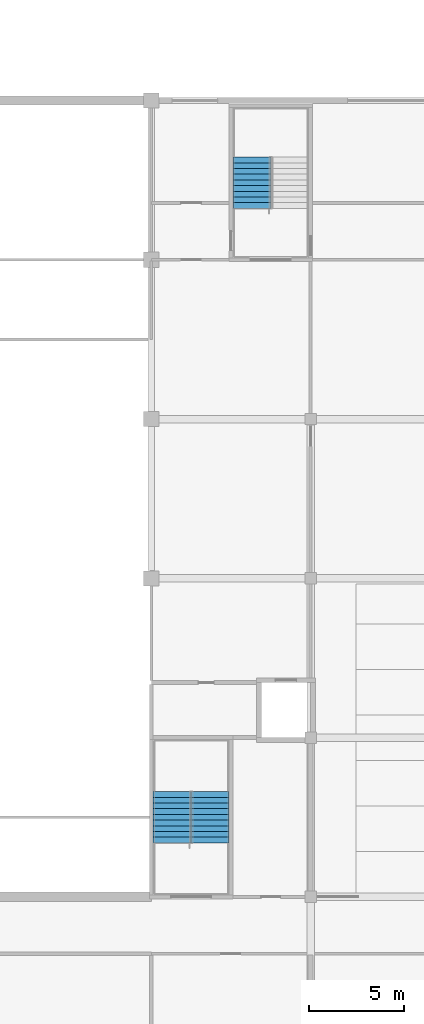
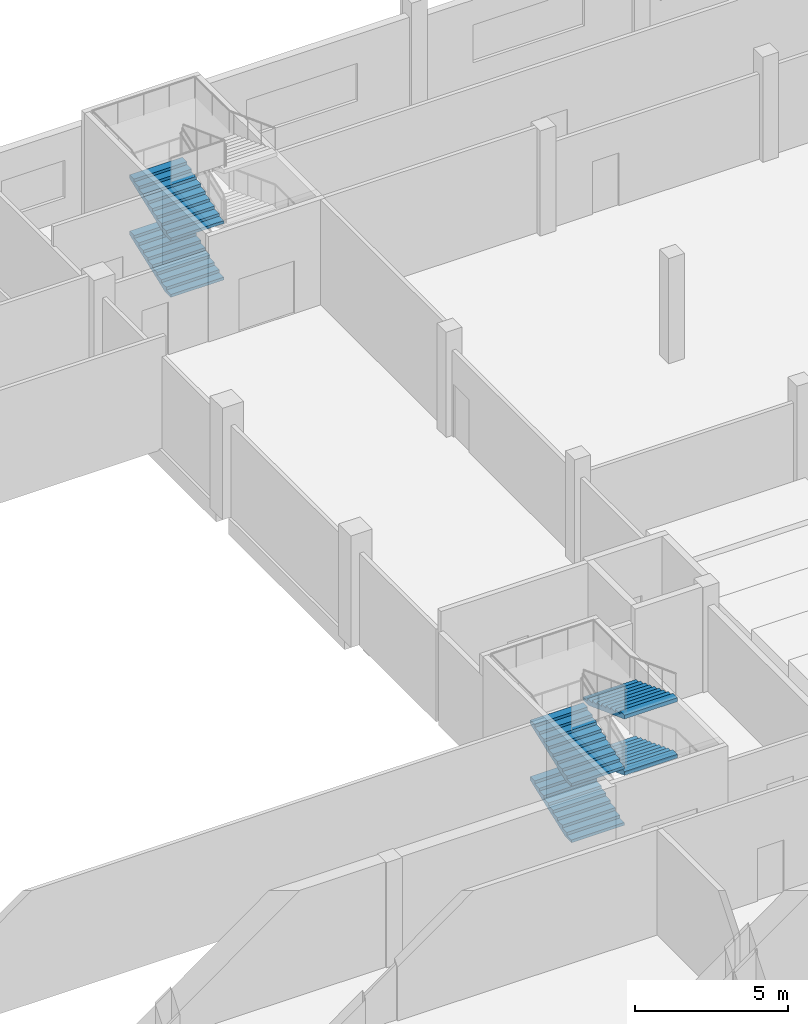
# One storey, part 38 of 56: 6 stair flights, 2 elements without a shape of their own.
"""IFC4 building model written with IfcOpenShell, lengths in metres."""

from ifc_helpers import new_model, si_unit, direction, frame, origin, place, context, subcontext, project, spatial, faceted_brep, material, type_object, element, aggregate, save


model = new_model("IFC4")

# Units and contexts
model_context = context("Model", 3, precision=1e-05, world=origin(), true_north=direction((0.0, 1.0)))
body_context = subcontext(model_context, "Body", "Model", "MODEL_VIEW")
ifc_project = project(units=[si_unit("LENGTHUNIT", "METRE"), si_unit("AREAUNIT", "SQUARE_METRE"), si_unit("VOLUMEUNIT", "CUBIC_METRE"), si_unit("PLANEANGLEUNIT", "RADIAN"), si_unit("MASSUNIT", "GRAM", prefix="KILO")], contexts=[model_context])

# Site, building, storey
site_placement = place(None, origin())
site = spatial("IfcSite", under=ifc_project, at=site_placement, CompositionType="ELEMENT")
building_placement = place(site_placement, origin())
building = spatial("IfcBuilding", under=site, at=building_placement, Name="Rulbaag Community and Learning Centre", CompositionType="ELEMENT")
storey_placement = place(building_placement, frame((0.0, 0.0, 9.89990234375)))
storey = spatial("IfcBuildingStorey", under=building, at=storey_placement, Name="L02", CompositionType="ELEMENT", Elevation=9.89990234375)

# Stair, stair flights
ifc_material = material(Name="Concrete M40", Category="concrete")
stair_type = type_object("IfcStairType", Name="ST-2000 STAIR 2000 WIDE", PredefinedType="HALF_TURN_STAIR", material=ifc_material)
stair_1_placement = place(storey_placement, origin())
stair_1 = element("IfcStair", 1, at=stair_1_placement, inside=storey, type_object=stair_type, Name="Stair ST-H2 L02", PredefinedType="HALF_TURN_STAIR")
stair_flight_type = type_object("IfcStairFlightType", Name="FL-2000 FLIGHT 2000 WIDE Concrete M40", PredefinedType="STRAIGHT", material=ifc_material)
stair_flight_1_placement = place(storey_placement, frame((85.10009765625, 11.25, 0.0), z_axis=(0.0, 0.0, 1.0), x_axis=(0.0, 1.0, 0.0)))
stair_flight_1 = element("IfcStairFlight", 2, at=stair_flight_1_placement, type_object=stair_flight_type, Name="ST-H2 flight 1", NumberOfRisers=10, NumberOfTreads=9, PredefinedType="STRAIGHT", RiserHeight=0.1125, TreadLength=0.3, context=body_context, shape_type="Brep", body=[
    faceted_brep([(0.3984375, -1.0, 0.0), (2.699951171875, -1.0, 0.863037109375), (2.699951171875, -1.0, 1.012451171875), (2.39990234375, -1.0, 1.012451171875), (2.39990234375, -1.0, 0.89990234375), (2.10009765625, -1.0, 0.89990234375), (2.10009765625, -1.0, 0.78759765625), (1.800048828125, -1.0, 0.78759765625), (1.800048828125, -1.0, 0.675048828125), (1.5, -1.0, 0.675048828125), (1.5, -1.0, 0.5625), (1.199951171875, -1.0, 0.5625), (1.199951171875, -1.0, 0.449951171875), (0.89990234375, -1.0, 0.449951171875), (0.89990234375, -1.0, 0.33740234375), (0.60009765625, -1.0, 0.33740234375), (0.60009765625, -1.0, 0.22509765625), (0.300048828125, -1.0, 0.22509765625), (0.300048828125, -1.0, 0.112548828125), (0.0, -1.0, 0.112548828125), (0.0, -1.0, 0.0), (0.0, 1.0, 0.0), (0.0, 1.0, 0.112548828125), (0.300048828125, 1.0, 0.112548828125), (0.300048828125, 1.0, 0.22509765625), (0.60009765625, 1.0, 0.22509765625), (0.60009765625, 1.0, 0.33740234375), (0.89990234375, 1.0, 0.33740234375), (0.89990234375, 1.0, 0.449951171875), (1.199951171875, 1.0, 0.449951171875), (1.199951171875, 1.0, 0.5625), (1.5, 1.0, 0.5625), (1.5, 1.0, 0.675048828125), (1.800048828125, 1.0, 0.675048828125), (1.800048828125, 1.0, 0.78759765625), (2.10009765625, 1.0, 0.78759765625), (2.10009765625, 1.0, 0.89990234375), (2.39990234375, 1.0, 0.89990234375), (2.39990234375, 1.0, 1.012451171875), (2.699951171875, 1.0, 1.012451171875), (2.699951171875, 1.0, 0.863037109375), (0.3984375, 1.0, 0.0), (0.0, -0.333251953125, 0.112548828125), (0.0, -0.333251953125, 0.0), (0.0, 0.333251953125, 0.112548828125), (0.0, 0.333251953125, 0.0), (0.300048828125, -0.333251953125, 0.112548828125), (0.300048828125, 0.333251953125, 0.112548828125), (0.300048828125, -0.333251953125, 0.22509765625), (0.300048828125, 0.333251953125, 0.22509765625), (0.60009765625, -0.333251953125, 0.22509765625), (0.60009765625, 0.333251953125, 0.22509765625), (0.60009765625, -0.333251953125, 0.33740234375), (0.60009765625, 0.333251953125, 0.33740234375), (0.89990234375, -0.333251953125, 0.33740234375), (0.89990234375, 0.333251953125, 0.33740234375), (0.89990234375, -0.333251953125, 0.449951171875), (0.89990234375, 0.333251953125, 0.449951171875), (1.199951171875, -0.333251953125, 0.449951171875), (1.199951171875, 0.333251953125, 0.449951171875), (1.199951171875, -0.333251953125, 0.5625), (1.199951171875, 0.333251953125, 0.5625), (1.5, -0.333251953125, 0.5625), (1.5, 0.333251953125, 0.5625), (1.5, -0.333251953125, 0.675048828125), (1.5, 0.333251953125, 0.675048828125), (1.800048828125, -0.333251953125, 0.675048828125), (1.800048828125, 0.333251953125, 0.675048828125), (1.800048828125, -0.333251953125, 0.78759765625), (1.800048828125, 0.333251953125, 0.78759765625), (2.10009765625, -0.333251953125, 0.78759765625), (2.10009765625, 0.333251953125, 0.78759765625), (2.10009765625, -0.333251953125, 0.89990234375), (2.10009765625, 0.333251953125, 0.89990234375), (2.39990234375, -0.333251953125, 0.89990234375), (2.39990234375, 0.333251953125, 0.89990234375), (2.39990234375, -0.333251953125, 1.012451171875), (2.39990234375, 0.333251953125, 1.012451171875), (2.699951171875, -0.333251953125, 1.012451171875), (2.699951171875, 0.333251953125, 1.012451171875), (2.699951171875, -0.333251953125, 0.863037109375), (2.699951171875, 0.333251953125, 0.863037109375), (0.3984375, -0.333251953125, 0.0), (0.3984375, 0.333251953125, 0.0)], [[[0, 1, 2, 3, 4, 5, 6, 7, 8, 9, 10, 11, 12, 13, 14, 15, 16, 17, 18, 19, 20]], [[21, 22, 23, 24, 25, 26, 27, 28, 29, 30, 31, 32, 33, 34, 35, 36, 37, 38, 39, 40, 41]], [[20, 19, 42, 43]], [[43, 42, 44, 45]], [[45, 44, 22, 21]], [[19, 18, 46, 42]], [[42, 46, 47, 44]], [[44, 47, 23, 22]], [[18, 17, 48, 46]], [[46, 48, 49, 47]], [[47, 49, 24, 23]], [[17, 16, 50, 48]], [[48, 50, 51, 49]], [[49, 51, 25, 24]], [[16, 15, 52, 50]], [[50, 52, 53, 51]], [[51, 53, 26, 25]], [[15, 14, 54, 52]], [[52, 54, 55, 53]], [[53, 55, 27, 26]], [[14, 13, 56, 54]], [[54, 56, 57, 55]], [[55, 57, 28, 27]], [[13, 12, 58, 56]], [[56, 58, 59, 57]], [[57, 59, 29, 28]], [[12, 11, 60, 58]], [[58, 60, 61, 59]], [[59, 61, 30, 29]], [[11, 10, 62, 60]], [[60, 62, 63, 61]], [[61, 63, 31, 30]], [[10, 9, 64, 62]], [[62, 64, 65, 63]], [[63, 65, 32, 31]], [[9, 8, 66, 64]], [[64, 66, 67, 65]], [[65, 67, 33, 32]], [[8, 7, 68, 66]], [[66, 68, 69, 67]], [[67, 69, 34, 33]], [[7, 6, 70, 68]], [[68, 70, 71, 69]], [[69, 71, 35, 34]], [[6, 5, 72, 70]], [[70, 72, 73, 71]], [[71, 73, 36, 35]], [[5, 4, 74, 72]], [[72, 74, 75, 73]], [[73, 75, 37, 36]], [[4, 3, 76, 74]], [[74, 76, 77, 75]], [[75, 77, 38, 37]], [[3, 2, 78, 76]], [[76, 78, 79, 77]], [[77, 79, 39, 38]], [[2, 1, 80, 78]], [[78, 80, 81, 79]], [[79, 81, 40, 39]], [[1, 0, 82, 80]], [[80, 82, 83, 81]], [[81, 83, 41, 40]], [[0, 20, 43, 82]], [[82, 43, 45, 83]], [[83, 45, 21, 41]]]),
])
stair_flight_2_placement = place(storey_placement, frame((87.10009765625, 13.949951171875, 1.125), z_axis=(0.0, 0.0, 1.0), x_axis=(0.0, -1.0, 0.0)))
stair_flight_2 = element("IfcStairFlight", 3, at=stair_flight_2_placement, type_object=stair_flight_type, Name="ST-H2 flight 2", NumberOfRisers=10, NumberOfTreads=9, PredefinedType="STRAIGHT", RiserHeight=0.1125, TreadLength=0.3, context=body_context, shape_type="Brep", body=[
    faceted_brep([(0.3984375, -1.0, 0.0), (2.699951171875, -1.0, 0.863037109375), (2.699951171875, -1.0, 1.012451171875), (2.39990234375, -1.0, 1.012451171875), (2.39990234375, -1.0, 0.89990234375), (2.10009765625, -1.0, 0.89990234375), (2.10009765625, -1.0, 0.78759765625), (1.800048828125, -1.0, 0.78759765625), (1.800048828125, -1.0, 0.675048828125), (1.5, -1.0, 0.675048828125), (1.5, -1.0, 0.5625), (1.199951171875, -1.0, 0.5625), (1.199951171875, -1.0, 0.449951171875), (0.89990234375, -1.0, 0.449951171875), (0.89990234375, -1.0, 0.33740234375), (0.60009765625, -1.0, 0.33740234375), (0.60009765625, -1.0, 0.22509765625), (0.300048828125, -1.0, 0.22509765625), (0.300048828125, -1.0, 0.112548828125), (0.0, -1.0, 0.112548828125), (0.0, -1.0, 0.0), (0.0, 1.0, 0.0), (0.0, 1.0, 0.112548828125), (0.300048828125, 1.0, 0.112548828125), (0.300048828125, 1.0, 0.22509765625), (0.60009765625, 1.0, 0.22509765625), (0.60009765625, 1.0, 0.33740234375), (0.89990234375, 1.0, 0.33740234375), (0.89990234375, 1.0, 0.449951171875), (1.199951171875, 1.0, 0.449951171875), (1.199951171875, 1.0, 0.5625), (1.5, 1.0, 0.5625), (1.5, 1.0, 0.675048828125), (1.800048828125, 1.0, 0.675048828125), (1.800048828125, 1.0, 0.78759765625), (2.10009765625, 1.0, 0.78759765625), (2.10009765625, 1.0, 0.89990234375), (2.39990234375, 1.0, 0.89990234375), (2.39990234375, 1.0, 1.012451171875), (2.699951171875, 1.0, 1.012451171875), (2.699951171875, 1.0, 0.863037109375), (0.3984375, 1.0, 0.0), (0.0, -0.333251953125, 0.112548828125), (0.0, -0.333251953125, 0.0), (0.0, 0.333251953125, 0.112548828125), (0.0, 0.333251953125, 0.0), (0.300048828125, -0.333251953125, 0.112548828125), (0.300048828125, 0.333251953125, 0.112548828125), (0.300048828125, -0.333251953125, 0.22509765625), (0.300048828125, 0.333251953125, 0.22509765625), (0.60009765625, -0.333251953125, 0.22509765625), (0.60009765625, 0.333251953125, 0.22509765625), (0.60009765625, -0.333251953125, 0.33740234375), (0.60009765625, 0.333251953125, 0.33740234375), (0.89990234375, -0.333251953125, 0.33740234375), (0.89990234375, 0.333251953125, 0.33740234375), (0.89990234375, -0.333251953125, 0.449951171875), (0.89990234375, 0.333251953125, 0.449951171875), (1.199951171875, -0.333251953125, 0.449951171875), (1.199951171875, 0.333251953125, 0.449951171875), (1.199951171875, -0.333251953125, 0.5625), (1.199951171875, 0.333251953125, 0.5625), (1.5, -0.333251953125, 0.5625), (1.5, 0.333251953125, 0.5625), (1.5, -0.333251953125, 0.675048828125), (1.5, 0.333251953125, 0.675048828125), (1.800048828125, -0.333251953125, 0.675048828125), (1.800048828125, 0.333251953125, 0.675048828125), (1.800048828125, -0.333251953125, 0.78759765625), (1.800048828125, 0.333251953125, 0.78759765625), (2.10009765625, -0.333251953125, 0.78759765625), (2.10009765625, 0.333251953125, 0.78759765625), (2.10009765625, -0.333251953125, 0.89990234375), (2.10009765625, 0.333251953125, 0.89990234375), (2.39990234375, -0.333251953125, 0.89990234375), (2.39990234375, 0.333251953125, 0.89990234375), (2.39990234375, -0.333251953125, 1.012451171875), (2.39990234375, 0.333251953125, 1.012451171875), (2.699951171875, -0.333251953125, 1.012451171875), (2.699951171875, 0.333251953125, 1.012451171875), (2.699951171875, -0.333251953125, 0.863037109375), (2.699951171875, 0.333251953125, 0.863037109375), (0.3984375, -0.333251953125, 0.0), (0.3984375, 0.333251953125, 0.0)], [[[0, 1, 2, 3, 4, 5, 6, 7, 8, 9, 10, 11, 12, 13, 14, 15, 16, 17, 18, 19, 20]], [[21, 22, 23, 24, 25, 26, 27, 28, 29, 30, 31, 32, 33, 34, 35, 36, 37, 38, 39, 40, 41]], [[20, 19, 42, 43]], [[43, 42, 44, 45]], [[45, 44, 22, 21]], [[19, 18, 46, 42]], [[42, 46, 47, 44]], [[44, 47, 23, 22]], [[18, 17, 48, 46]], [[46, 48, 49, 47]], [[47, 49, 24, 23]], [[17, 16, 50, 48]], [[48, 50, 51, 49]], [[49, 51, 25, 24]], [[16, 15, 52, 50]], [[50, 52, 53, 51]], [[51, 53, 26, 25]], [[15, 14, 54, 52]], [[52, 54, 55, 53]], [[53, 55, 27, 26]], [[14, 13, 56, 54]], [[54, 56, 57, 55]], [[55, 57, 28, 27]], [[13, 12, 58, 56]], [[56, 58, 59, 57]], [[57, 59, 29, 28]], [[12, 11, 60, 58]], [[58, 60, 61, 59]], [[59, 61, 30, 29]], [[11, 10, 62, 60]], [[60, 62, 63, 61]], [[61, 63, 31, 30]], [[10, 9, 64, 62]], [[62, 64, 65, 63]], [[63, 65, 32, 31]], [[9, 8, 66, 64]], [[64, 66, 67, 65]], [[65, 67, 33, 32]], [[8, 7, 68, 66]], [[66, 68, 69, 67]], [[67, 69, 34, 33]], [[7, 6, 70, 68]], [[68, 70, 71, 69]], [[69, 71, 35, 34]], [[6, 5, 72, 70]], [[70, 72, 73, 71]], [[71, 73, 36, 35]], [[5, 4, 74, 72]], [[72, 74, 75, 73]], [[73, 75, 37, 36]], [[4, 3, 76, 74]], [[74, 76, 77, 75]], [[75, 77, 38, 37]], [[3, 2, 78, 76]], [[76, 78, 79, 77]], [[77, 79, 39, 38]], [[2, 1, 80, 78]], [[78, 80, 81, 79]], [[79, 81, 40, 39]], [[1, 0, 82, 80]], [[80, 82, 83, 81]], [[81, 83, 41, 40]], [[0, 20, 43, 82]], [[82, 43, 45, 83]], [[83, 45, 21, 41]]]),
])
stair_flight_3_placement = place(storey_placement, frame((85.10009765625, 11.25, 2.25), z_axis=(0.0, 0.0, 1.0), x_axis=(0.0, 1.0, 0.0)))
stair_flight_3 = element("IfcStairFlight", 4, at=stair_flight_3_placement, type_object=stair_flight_type, Name="ST-H2 flight 3", NumberOfRisers=10, NumberOfTreads=9, PredefinedType="STRAIGHT", RiserHeight=0.1125, TreadLength=0.3, context=body_context, shape_type="Brep", body=[
    faceted_brep([(0.3984375, -1.0, 0.0), (2.699951171875, -1.0, 0.863037109375), (2.699951171875, -1.0, 1.012451171875), (2.39990234375, -1.0, 1.012451171875), (2.39990234375, -1.0, 0.89990234375), (2.10009765625, -1.0, 0.89990234375), (2.10009765625, -1.0, 0.78759765625), (1.800048828125, -1.0, 0.78759765625), (1.800048828125, -1.0, 0.675048828125), (1.5, -1.0, 0.675048828125), (1.5, -1.0, 0.5625), (1.199951171875, -1.0, 0.5625), (1.199951171875, -1.0, 0.449951171875), (0.89990234375, -1.0, 0.449951171875), (0.89990234375, -1.0, 0.33740234375), (0.60009765625, -1.0, 0.33740234375), (0.60009765625, -1.0, 0.22509765625), (0.300048828125, -1.0, 0.22509765625), (0.300048828125, -1.0, 0.112548828125), (0.0, -1.0, 0.112548828125), (0.0, -1.0, 0.0), (0.0, 1.0, 0.0), (0.0, 1.0, 0.112548828125), (0.300048828125, 1.0, 0.112548828125), (0.300048828125, 1.0, 0.22509765625), (0.60009765625, 1.0, 0.22509765625), (0.60009765625, 1.0, 0.33740234375), (0.89990234375, 1.0, 0.33740234375), (0.89990234375, 1.0, 0.449951171875), (1.199951171875, 1.0, 0.449951171875), (1.199951171875, 1.0, 0.5625), (1.5, 1.0, 0.5625), (1.5, 1.0, 0.675048828125), (1.800048828125, 1.0, 0.675048828125), (1.800048828125, 1.0, 0.78759765625), (2.10009765625, 1.0, 0.78759765625), (2.10009765625, 1.0, 0.89990234375), (2.39990234375, 1.0, 0.89990234375), (2.39990234375, 1.0, 1.012451171875), (2.699951171875, 1.0, 1.012451171875), (2.699951171875, 1.0, 0.863037109375), (0.3984375, 1.0, 0.0), (0.0, -0.333251953125, 0.112548828125), (0.0, -0.333251953125, 0.0), (0.0, 0.333251953125, 0.112548828125), (0.0, 0.333251953125, 0.0), (0.300048828125, -0.333251953125, 0.112548828125), (0.300048828125, 0.333251953125, 0.112548828125), (0.300048828125, -0.333251953125, 0.22509765625), (0.300048828125, 0.333251953125, 0.22509765625), (0.60009765625, -0.333251953125, 0.22509765625), (0.60009765625, 0.333251953125, 0.22509765625), (0.60009765625, -0.333251953125, 0.33740234375), (0.60009765625, 0.333251953125, 0.33740234375), (0.89990234375, -0.333251953125, 0.33740234375), (0.89990234375, 0.333251953125, 0.33740234375), (0.89990234375, -0.333251953125, 0.449951171875), (0.89990234375, 0.333251953125, 0.449951171875), (1.199951171875, -0.333251953125, 0.449951171875), (1.199951171875, 0.333251953125, 0.449951171875), (1.199951171875, -0.333251953125, 0.5625), (1.199951171875, 0.333251953125, 0.5625), (1.5, -0.333251953125, 0.5625), (1.5, 0.333251953125, 0.5625), (1.5, -0.333251953125, 0.675048828125), (1.5, 0.333251953125, 0.675048828125), (1.800048828125, -0.333251953125, 0.675048828125), (1.800048828125, 0.333251953125, 0.675048828125), (1.800048828125, -0.333251953125, 0.78759765625), (1.800048828125, 0.333251953125, 0.78759765625), (2.10009765625, -0.333251953125, 0.78759765625), (2.10009765625, 0.333251953125, 0.78759765625), (2.10009765625, -0.333251953125, 0.89990234375), (2.10009765625, 0.333251953125, 0.89990234375), (2.39990234375, -0.333251953125, 0.89990234375), (2.39990234375, 0.333251953125, 0.89990234375), (2.39990234375, -0.333251953125, 1.012451171875), (2.39990234375, 0.333251953125, 1.012451171875), (2.699951171875, -0.333251953125, 1.012451171875), (2.699951171875, 0.333251953125, 1.012451171875), (2.699951171875, -0.333251953125, 0.863037109375), (2.699951171875, 0.333251953125, 0.863037109375), (0.3984375, -0.333251953125, 0.0), (0.3984375, 0.333251953125, 0.0)], [[[0, 1, 2, 3, 4, 5, 6, 7, 8, 9, 10, 11, 12, 13, 14, 15, 16, 17, 18, 19, 20]], [[21, 22, 23, 24, 25, 26, 27, 28, 29, 30, 31, 32, 33, 34, 35, 36, 37, 38, 39, 40, 41]], [[20, 19, 42, 43]], [[43, 42, 44, 45]], [[45, 44, 22, 21]], [[19, 18, 46, 42]], [[42, 46, 47, 44]], [[44, 47, 23, 22]], [[18, 17, 48, 46]], [[46, 48, 49, 47]], [[47, 49, 24, 23]], [[17, 16, 50, 48]], [[48, 50, 51, 49]], [[49, 51, 25, 24]], [[16, 15, 52, 50]], [[50, 52, 53, 51]], [[51, 53, 26, 25]], [[15, 14, 54, 52]], [[52, 54, 55, 53]], [[53, 55, 27, 26]], [[14, 13, 56, 54]], [[54, 56, 57, 55]], [[55, 57, 28, 27]], [[13, 12, 58, 56]], [[56, 58, 59, 57]], [[57, 59, 29, 28]], [[12, 11, 60, 58]], [[58, 60, 61, 59]], [[59, 61, 30, 29]], [[11, 10, 62, 60]], [[60, 62, 63, 61]], [[61, 63, 31, 30]], [[10, 9, 64, 62]], [[62, 64, 65, 63]], [[63, 65, 32, 31]], [[9, 8, 66, 64]], [[64, 66, 67, 65]], [[65, 67, 33, 32]], [[8, 7, 68, 66]], [[66, 68, 69, 67]], [[67, 69, 34, 33]], [[7, 6, 70, 68]], [[68, 70, 71, 69]], [[69, 71, 35, 34]], [[6, 5, 72, 70]], [[70, 72, 73, 71]], [[71, 73, 36, 35]], [[5, 4, 74, 72]], [[72, 74, 75, 73]], [[73, 75, 37, 36]], [[4, 3, 76, 74]], [[74, 76, 77, 75]], [[75, 77, 38, 37]], [[3, 2, 78, 76]], [[76, 78, 79, 77]], [[77, 79, 39, 38]], [[2, 1, 80, 78]], [[78, 80, 81, 79]], [[79, 81, 40, 39]], [[1, 0, 82, 80]], [[80, 82, 83, 81]], [[81, 83, 41, 40]], [[0, 20, 43, 82]], [[82, 43, 45, 83]], [[83, 45, 21, 41]]]),
])
stair_flight_4_placement = place(storey_placement, frame((87.10009765625, 13.949951171875, 3.375), z_axis=(0.0, 0.0, 1.0), x_axis=(0.0, -1.0, 0.0)))
stair_flight_4 = element("IfcStairFlight", 5, at=stair_flight_4_placement, type_object=stair_flight_type, Name="ST-H2 flight 4", NumberOfRisers=10, NumberOfTreads=9, PredefinedType="STRAIGHT", RiserHeight=0.1125, TreadLength=0.3, context=body_context, shape_type="Brep", body=[
    faceted_brep([(0.3984375, -1.0, 0.0), (2.699951171875, -1.0, 0.863037109375), (2.699951171875, -1.0, 1.012451171875), (2.39990234375, -1.0, 1.012451171875), (2.39990234375, -1.0, 0.89990234375), (2.10009765625, -1.0, 0.89990234375), (2.10009765625, -1.0, 0.78759765625), (1.800048828125, -1.0, 0.78759765625), (1.800048828125, -1.0, 0.675048828125), (1.5, -1.0, 0.675048828125), (1.5, -1.0, 0.5625), (1.199951171875, -1.0, 0.5625), (1.199951171875, -1.0, 0.449951171875), (0.89990234375, -1.0, 0.449951171875), (0.89990234375, -1.0, 0.33740234375), (0.60009765625, -1.0, 0.33740234375), (0.60009765625, -1.0, 0.22509765625), (0.300048828125, -1.0, 0.22509765625), (0.300048828125, -1.0, 0.112548828125), (0.0, -1.0, 0.112548828125), (0.0, -1.0, 0.0), (0.0, 1.0, 0.0), (0.0, 1.0, 0.112548828125), (0.300048828125, 1.0, 0.112548828125), (0.300048828125, 1.0, 0.22509765625), (0.60009765625, 1.0, 0.22509765625), (0.60009765625, 1.0, 0.33740234375), (0.89990234375, 1.0, 0.33740234375), (0.89990234375, 1.0, 0.449951171875), (1.199951171875, 1.0, 0.449951171875), (1.199951171875, 1.0, 0.5625), (1.5, 1.0, 0.5625), (1.5, 1.0, 0.675048828125), (1.800048828125, 1.0, 0.675048828125), (1.800048828125, 1.0, 0.78759765625), (2.10009765625, 1.0, 0.78759765625), (2.10009765625, 1.0, 0.89990234375), (2.39990234375, 1.0, 0.89990234375), (2.39990234375, 1.0, 1.012451171875), (2.699951171875, 1.0, 1.012451171875), (2.699951171875, 1.0, 0.863037109375), (0.3984375, 1.0, 0.0), (0.0, -0.333251953125, 0.112548828125), (0.0, -0.333251953125, 0.0), (0.0, 0.333251953125, 0.112548828125), (0.0, 0.333251953125, 0.0), (0.300048828125, -0.333251953125, 0.112548828125), (0.300048828125, 0.333251953125, 0.112548828125), (0.300048828125, -0.333251953125, 0.22509765625), (0.300048828125, 0.333251953125, 0.22509765625), (0.60009765625, -0.333251953125, 0.22509765625), (0.60009765625, 0.333251953125, 0.22509765625), (0.60009765625, -0.333251953125, 0.33740234375), (0.60009765625, 0.333251953125, 0.33740234375), (0.89990234375, -0.333251953125, 0.33740234375), (0.89990234375, 0.333251953125, 0.33740234375), (0.89990234375, -0.333251953125, 0.449951171875), (0.89990234375, 0.333251953125, 0.449951171875), (1.199951171875, -0.333251953125, 0.449951171875), (1.199951171875, 0.333251953125, 0.449951171875), (1.199951171875, -0.333251953125, 0.5625), (1.199951171875, 0.333251953125, 0.5625), (1.5, -0.333251953125, 0.5625), (1.5, 0.333251953125, 0.5625), (1.5, -0.333251953125, 0.675048828125), (1.5, 0.333251953125, 0.675048828125), (1.800048828125, -0.333251953125, 0.675048828125), (1.800048828125, 0.333251953125, 0.675048828125), (1.800048828125, -0.333251953125, 0.78759765625), (1.800048828125, 0.333251953125, 0.78759765625), (2.10009765625, -0.333251953125, 0.78759765625), (2.10009765625, 0.333251953125, 0.78759765625), (2.10009765625, -0.333251953125, 0.89990234375), (2.10009765625, 0.333251953125, 0.89990234375), (2.39990234375, -0.333251953125, 0.89990234375), (2.39990234375, 0.333251953125, 0.89990234375), (2.39990234375, -0.333251953125, 1.012451171875), (2.39990234375, 0.333251953125, 1.012451171875), (2.699951171875, -0.333251953125, 1.012451171875), (2.699951171875, 0.333251953125, 1.012451171875), (2.699951171875, -0.333251953125, 0.863037109375), (2.699951171875, 0.333251953125, 0.863037109375), (0.3984375, -0.333251953125, 0.0), (0.3984375, 0.333251953125, 0.0)], [[[0, 1, 2, 3, 4, 5, 6, 7, 8, 9, 10, 11, 12, 13, 14, 15, 16, 17, 18, 19, 20]], [[21, 22, 23, 24, 25, 26, 27, 28, 29, 30, 31, 32, 33, 34, 35, 36, 37, 38, 39, 40, 41]], [[20, 19, 42, 43]], [[43, 42, 44, 45]], [[45, 44, 22, 21]], [[19, 18, 46, 42]], [[42, 46, 47, 44]], [[44, 47, 23, 22]], [[18, 17, 48, 46]], [[46, 48, 49, 47]], [[47, 49, 24, 23]], [[17, 16, 50, 48]], [[48, 50, 51, 49]], [[49, 51, 25, 24]], [[16, 15, 52, 50]], [[50, 52, 53, 51]], [[51, 53, 26, 25]], [[15, 14, 54, 52]], [[52, 54, 55, 53]], [[53, 55, 27, 26]], [[14, 13, 56, 54]], [[54, 56, 57, 55]], [[55, 57, 28, 27]], [[13, 12, 58, 56]], [[56, 58, 59, 57]], [[57, 59, 29, 28]], [[12, 11, 60, 58]], [[58, 60, 61, 59]], [[59, 61, 30, 29]], [[11, 10, 62, 60]], [[60, 62, 63, 61]], [[61, 63, 31, 30]], [[10, 9, 64, 62]], [[62, 64, 65, 63]], [[63, 65, 32, 31]], [[9, 8, 66, 64]], [[64, 66, 67, 65]], [[65, 67, 33, 32]], [[8, 7, 68, 66]], [[66, 68, 69, 67]], [[67, 69, 34, 33]], [[7, 6, 70, 68]], [[68, 70, 71, 69]], [[69, 71, 35, 34]], [[6, 5, 72, 70]], [[70, 72, 73, 71]], [[71, 73, 36, 35]], [[5, 4, 74, 72]], [[72, 74, 75, 73]], [[73, 75, 37, 36]], [[4, 3, 76, 74]], [[74, 76, 77, 75]], [[75, 77, 38, 37]], [[3, 2, 78, 76]], [[76, 78, 79, 77]], [[77, 79, 39, 38]], [[2, 1, 80, 78]], [[78, 80, 81, 79]], [[79, 81, 40, 39]], [[1, 0, 82, 80]], [[80, 82, 83, 81]], [[81, 83, 41, 40]], [[0, 20, 43, 82]], [[82, 43, 45, 83]], [[83, 45, 21, 41]]]),
])
aggregate(stair_1, [stair_flight_1, stair_flight_2, stair_flight_3, stair_flight_4])

stair_2_placement = place(storey_placement, origin())
stair_2 = element("IfcStair", 6, at=stair_2_placement, inside=storey, type_object=stair_type, Name="Stair ST-H6 L02", PredefinedType="HALF_TURN_STAIR")
stair_flight_5_placement = place(storey_placement, frame((89.300048828125, 44.71240234375, 0.0), z_axis=(0.0, 0.0, 1.0), x_axis=(0.0, 1.0, 0.0)))
stair_flight_5 = element("IfcStairFlight", 7, at=stair_flight_5_placement, type_object=stair_flight_type, Name="ST-H6 flight 1", NumberOfRisers=10, NumberOfTreads=9, PredefinedType="STRAIGHT", RiserHeight=0.1125, TreadLength=0.3, context=body_context, shape_type="Brep", body=[
    faceted_brep([(0.3984375, -1.0, 0.0), (2.699951171875, -1.0, 0.863037109375), (2.699951171875, -1.0, 1.012451171875), (2.39990234375, -1.0, 1.012451171875), (2.39990234375, -1.0, 0.89990234375), (2.10009765625, -1.0, 0.89990234375), (2.10009765625, -1.0, 0.78759765625), (1.800048828125, -1.0, 0.78759765625), (1.800048828125, -1.0, 0.675048828125), (1.5, -1.0, 0.675048828125), (1.5, -1.0, 0.5625), (1.199951171875, -1.0, 0.5625), (1.199951171875, -1.0, 0.449951171875), (0.89990234375, -1.0, 0.449951171875), (0.89990234375, -1.0, 0.33740234375), (0.60009765625, -1.0, 0.33740234375), (0.60009765625, -1.0, 0.22509765625), (0.300048828125, -1.0, 0.22509765625), (0.300048828125, -1.0, 0.112548828125), (0.0, -1.0, 0.112548828125), (0.0, -1.0, 0.0), (0.0, 1.0, 0.0), (0.0, 1.0, 0.112548828125), (0.300048828125, 1.0, 0.112548828125), (0.300048828125, 1.0, 0.22509765625), (0.60009765625, 1.0, 0.22509765625), (0.60009765625, 1.0, 0.33740234375), (0.89990234375, 1.0, 0.33740234375), (0.89990234375, 1.0, 0.449951171875), (1.199951171875, 1.0, 0.449951171875), (1.199951171875, 1.0, 0.5625), (1.5, 1.0, 0.5625), (1.5, 1.0, 0.675048828125), (1.800048828125, 1.0, 0.675048828125), (1.800048828125, 1.0, 0.78759765625), (2.10009765625, 1.0, 0.78759765625), (2.10009765625, 1.0, 0.89990234375), (2.39990234375, 1.0, 0.89990234375), (2.39990234375, 1.0, 1.012451171875), (2.699951171875, 1.0, 1.012451171875), (2.699951171875, 1.0, 0.863037109375), (0.3984375, 1.0, 0.0), (0.0, -0.333251953125, 0.112548828125), (0.0, -0.333251953125, 0.0), (0.0, 0.333251953125, 0.112548828125), (0.0, 0.333251953125, 0.0), (0.300048828125, -0.333251953125, 0.112548828125), (0.300048828125, 0.333251953125, 0.112548828125), (0.300048828125, -0.333251953125, 0.22509765625), (0.300048828125, 0.333251953125, 0.22509765625), (0.60009765625, -0.333251953125, 0.22509765625), (0.60009765625, 0.333251953125, 0.22509765625), (0.60009765625, -0.333251953125, 0.33740234375), (0.60009765625, 0.333251953125, 0.33740234375), (0.89990234375, -0.333251953125, 0.33740234375), (0.89990234375, 0.333251953125, 0.33740234375), (0.89990234375, -0.333251953125, 0.449951171875), (0.89990234375, 0.333251953125, 0.449951171875), (1.199951171875, -0.333251953125, 0.449951171875), (1.199951171875, 0.333251953125, 0.449951171875), (1.199951171875, -0.333251953125, 0.5625), (1.199951171875, 0.333251953125, 0.5625), (1.5, -0.333251953125, 0.5625), (1.5, 0.333251953125, 0.5625), (1.5, -0.333251953125, 0.675048828125), (1.5, 0.333251953125, 0.675048828125), (1.800048828125, -0.333251953125, 0.675048828125), (1.800048828125, 0.333251953125, 0.675048828125), (1.800048828125, -0.333251953125, 0.78759765625), (1.800048828125, 0.333251953125, 0.78759765625), (2.10009765625, -0.333251953125, 0.78759765625), (2.10009765625, 0.333251953125, 0.78759765625), (2.10009765625, -0.333251953125, 0.89990234375), (2.10009765625, 0.333251953125, 0.89990234375), (2.39990234375, -0.333251953125, 0.89990234375), (2.39990234375, 0.333251953125, 0.89990234375), (2.39990234375, -0.333251953125, 1.012451171875), (2.39990234375, 0.333251953125, 1.012451171875), (2.699951171875, -0.333251953125, 1.012451171875), (2.699951171875, 0.333251953125, 1.012451171875), (2.699951171875, -0.333251953125, 0.863037109375), (2.699951171875, 0.333251953125, 0.863037109375), (0.3984375, -0.333251953125, 0.0), (0.3984375, 0.333251953125, 0.0)], [[[0, 1, 2, 3, 4, 5, 6, 7, 8, 9, 10, 11, 12, 13, 14, 15, 16, 17, 18, 19, 20]], [[21, 22, 23, 24, 25, 26, 27, 28, 29, 30, 31, 32, 33, 34, 35, 36, 37, 38, 39, 40, 41]], [[20, 19, 42, 43]], [[43, 42, 44, 45]], [[45, 44, 22, 21]], [[19, 18, 46, 42]], [[42, 46, 47, 44]], [[44, 47, 23, 22]], [[18, 17, 48, 46]], [[46, 48, 49, 47]], [[47, 49, 24, 23]], [[17, 16, 50, 48]], [[48, 50, 51, 49]], [[49, 51, 25, 24]], [[16, 15, 52, 50]], [[50, 52, 53, 51]], [[51, 53, 26, 25]], [[15, 14, 54, 52]], [[52, 54, 55, 53]], [[53, 55, 27, 26]], [[14, 13, 56, 54]], [[54, 56, 57, 55]], [[55, 57, 28, 27]], [[13, 12, 58, 56]], [[56, 58, 59, 57]], [[57, 59, 29, 28]], [[12, 11, 60, 58]], [[58, 60, 61, 59]], [[59, 61, 30, 29]], [[11, 10, 62, 60]], [[60, 62, 63, 61]], [[61, 63, 31, 30]], [[10, 9, 64, 62]], [[62, 64, 65, 63]], [[63, 65, 32, 31]], [[9, 8, 66, 64]], [[64, 66, 67, 65]], [[65, 67, 33, 32]], [[8, 7, 68, 66]], [[66, 68, 69, 67]], [[67, 69, 34, 33]], [[7, 6, 70, 68]], [[68, 70, 71, 69]], [[69, 71, 35, 34]], [[6, 5, 72, 70]], [[70, 72, 73, 71]], [[71, 73, 36, 35]], [[5, 4, 74, 72]], [[72, 74, 75, 73]], [[73, 75, 37, 36]], [[4, 3, 76, 74]], [[74, 76, 77, 75]], [[75, 77, 38, 37]], [[3, 2, 78, 76]], [[76, 78, 79, 77]], [[77, 79, 39, 38]], [[2, 1, 80, 78]], [[78, 80, 81, 79]], [[79, 81, 40, 39]], [[1, 0, 82, 80]], [[80, 82, 83, 81]], [[81, 83, 41, 40]], [[0, 20, 43, 82]], [[82, 43, 45, 83]], [[83, 45, 21, 41]]]),
])
stair_flight_6_placement = place(storey_placement, frame((89.300048828125, 44.71240234375, 2.25), z_axis=(0.0, 0.0, 1.0), x_axis=(0.0, 1.0, 0.0)))
stair_flight_6 = element("IfcStairFlight", 8, at=stair_flight_6_placement, type_object=stair_flight_type, Name="ST-H6 flight 3", NumberOfRisers=10, NumberOfTreads=9, PredefinedType="STRAIGHT", RiserHeight=0.1125, TreadLength=0.3, context=body_context, shape_type="Brep", body=[
    faceted_brep([(0.3984375, -1.0, 0.0), (2.699951171875, -1.0, 0.863037109375), (2.699951171875, -1.0, 1.012451171875), (2.39990234375, -1.0, 1.012451171875), (2.39990234375, -1.0, 0.89990234375), (2.10009765625, -1.0, 0.89990234375), (2.10009765625, -1.0, 0.78759765625), (1.800048828125, -1.0, 0.78759765625), (1.800048828125, -1.0, 0.675048828125), (1.5, -1.0, 0.675048828125), (1.5, -1.0, 0.5625), (1.199951171875, -1.0, 0.5625), (1.199951171875, -1.0, 0.449951171875), (0.89990234375, -1.0, 0.449951171875), (0.89990234375, -1.0, 0.33740234375), (0.60009765625, -1.0, 0.33740234375), (0.60009765625, -1.0, 0.22509765625), (0.300048828125, -1.0, 0.22509765625), (0.300048828125, -1.0, 0.112548828125), (0.0, -1.0, 0.112548828125), (0.0, -1.0, 0.0), (0.0, 1.0, 0.0), (0.0, 1.0, 0.112548828125), (0.300048828125, 1.0, 0.112548828125), (0.300048828125, 1.0, 0.22509765625), (0.60009765625, 1.0, 0.22509765625), (0.60009765625, 1.0, 0.33740234375), (0.89990234375, 1.0, 0.33740234375), (0.89990234375, 1.0, 0.449951171875), (1.199951171875, 1.0, 0.449951171875), (1.199951171875, 1.0, 0.5625), (1.5, 1.0, 0.5625), (1.5, 1.0, 0.675048828125), (1.800048828125, 1.0, 0.675048828125), (1.800048828125, 1.0, 0.78759765625), (2.10009765625, 1.0, 0.78759765625), (2.10009765625, 1.0, 0.89990234375), (2.39990234375, 1.0, 0.89990234375), (2.39990234375, 1.0, 1.012451171875), (2.699951171875, 1.0, 1.012451171875), (2.699951171875, 1.0, 0.863037109375), (0.3984375, 1.0, 0.0), (0.0, -0.333251953125, 0.112548828125), (0.0, -0.333251953125, 0.0), (0.0, 0.333251953125, 0.112548828125), (0.0, 0.333251953125, 0.0), (0.300048828125, -0.333251953125, 0.112548828125), (0.300048828125, 0.333251953125, 0.112548828125), (0.300048828125, -0.333251953125, 0.22509765625), (0.300048828125, 0.333251953125, 0.22509765625), (0.60009765625, -0.333251953125, 0.22509765625), (0.60009765625, 0.333251953125, 0.22509765625), (0.60009765625, -0.333251953125, 0.33740234375), (0.60009765625, 0.333251953125, 0.33740234375), (0.89990234375, -0.333251953125, 0.33740234375), (0.89990234375, 0.333251953125, 0.33740234375), (0.89990234375, -0.333251953125, 0.449951171875), (0.89990234375, 0.333251953125, 0.449951171875), (1.199951171875, -0.333251953125, 0.449951171875), (1.199951171875, 0.333251953125, 0.449951171875), (1.199951171875, -0.333251953125, 0.5625), (1.199951171875, 0.333251953125, 0.5625), (1.5, -0.333251953125, 0.5625), (1.5, 0.333251953125, 0.5625), (1.5, -0.333251953125, 0.675048828125), (1.5, 0.333251953125, 0.675048828125), (1.800048828125, -0.333251953125, 0.675048828125), (1.800048828125, 0.333251953125, 0.675048828125), (1.800048828125, -0.333251953125, 0.78759765625), (1.800048828125, 0.333251953125, 0.78759765625), (2.10009765625, -0.333251953125, 0.78759765625), (2.10009765625, 0.333251953125, 0.78759765625), (2.10009765625, -0.333251953125, 0.89990234375), (2.10009765625, 0.333251953125, 0.89990234375), (2.39990234375, -0.333251953125, 0.89990234375), (2.39990234375, 0.333251953125, 0.89990234375), (2.39990234375, -0.333251953125, 1.012451171875), (2.39990234375, 0.333251953125, 1.012451171875), (2.699951171875, -0.333251953125, 1.012451171875), (2.699951171875, 0.333251953125, 1.012451171875), (2.699951171875, -0.333251953125, 0.863037109375), (2.699951171875, 0.333251953125, 0.863037109375), (0.3984375, -0.333251953125, 0.0), (0.3984375, 0.333251953125, 0.0)], [[[0, 1, 2, 3, 4, 5, 6, 7, 8, 9, 10, 11, 12, 13, 14, 15, 16, 17, 18, 19, 20]], [[21, 22, 23, 24, 25, 26, 27, 28, 29, 30, 31, 32, 33, 34, 35, 36, 37, 38, 39, 40, 41]], [[20, 19, 42, 43]], [[43, 42, 44, 45]], [[45, 44, 22, 21]], [[19, 18, 46, 42]], [[42, 46, 47, 44]], [[44, 47, 23, 22]], [[18, 17, 48, 46]], [[46, 48, 49, 47]], [[47, 49, 24, 23]], [[17, 16, 50, 48]], [[48, 50, 51, 49]], [[49, 51, 25, 24]], [[16, 15, 52, 50]], [[50, 52, 53, 51]], [[51, 53, 26, 25]], [[15, 14, 54, 52]], [[52, 54, 55, 53]], [[53, 55, 27, 26]], [[14, 13, 56, 54]], [[54, 56, 57, 55]], [[55, 57, 28, 27]], [[13, 12, 58, 56]], [[56, 58, 59, 57]], [[57, 59, 29, 28]], [[12, 11, 60, 58]], [[58, 60, 61, 59]], [[59, 61, 30, 29]], [[11, 10, 62, 60]], [[60, 62, 63, 61]], [[61, 63, 31, 30]], [[10, 9, 64, 62]], [[62, 64, 65, 63]], [[63, 65, 32, 31]], [[9, 8, 66, 64]], [[64, 66, 67, 65]], [[65, 67, 33, 32]], [[8, 7, 68, 66]], [[66, 68, 69, 67]], [[67, 69, 34, 33]], [[7, 6, 70, 68]], [[68, 70, 71, 69]], [[69, 71, 35, 34]], [[6, 5, 72, 70]], [[70, 72, 73, 71]], [[71, 73, 36, 35]], [[5, 4, 74, 72]], [[72, 74, 75, 73]], [[73, 75, 37, 36]], [[4, 3, 76, 74]], [[74, 76, 77, 75]], [[75, 77, 38, 37]], [[3, 2, 78, 76]], [[76, 78, 79, 77]], [[77, 79, 39, 38]], [[2, 1, 80, 78]], [[78, 80, 81, 79]], [[79, 81, 40, 39]], [[1, 0, 82, 80]], [[80, 82, 83, 81]], [[81, 83, 41, 40]], [[0, 20, 43, 82]], [[82, 43, 45, 83]], [[83, 45, 21, 41]]]),
])
aggregate(stair_2, [stair_flight_5, stair_flight_6])

save(model, "model.ifc")
